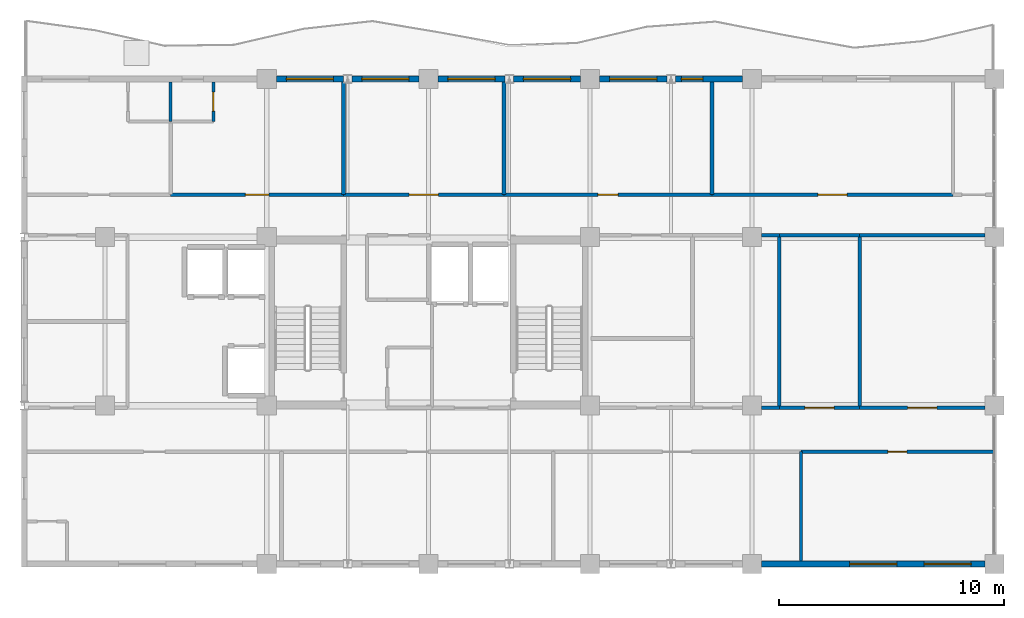
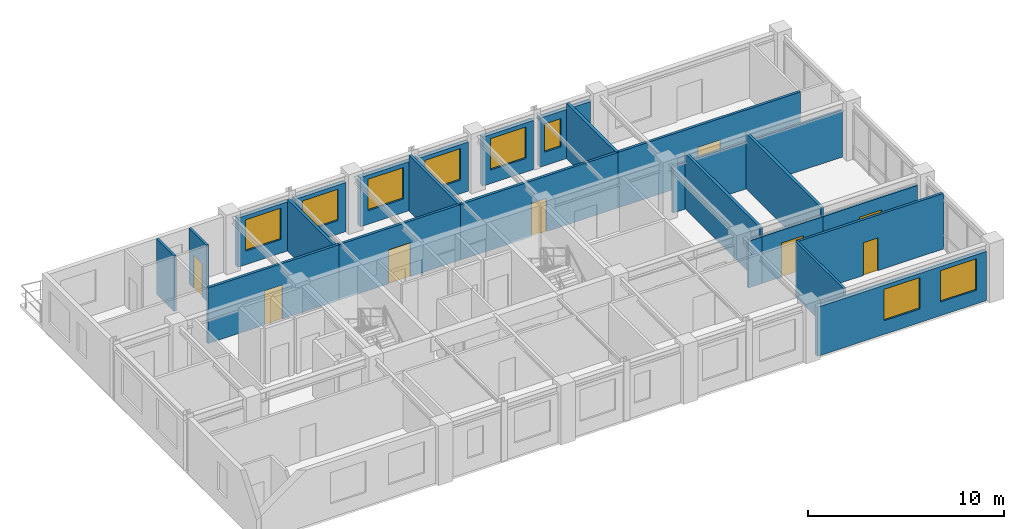
# One storey, part 8 of 11: 26 walls, 8 doors, 8 windows, 16 openings.
"""IFC4 building model written with IfcOpenShell, lengths in metres."""

from ifc_helpers import new_model, si_unit, direction, frame, frame_2d, origin, place, context, subcontext, project, spatial, rectangle, extrude, material, layer, layer_set, type_object, element, fill, save


model = new_model("IFC4")

# Units and contexts
model_context = context("Model", 3, precision=1e-05, world=origin(), true_north=direction((0.0, 1.0)))
body_context = subcontext(model_context, "Body", "Model", "MODEL_VIEW")
ifc_project = project(units=[si_unit("LENGTHUNIT", "METRE"), si_unit("AREAUNIT", "SQUARE_METRE"), si_unit("VOLUMEUNIT", "CUBIC_METRE"), si_unit("PLANEANGLEUNIT", "RADIAN"), si_unit("MASSUNIT", "GRAM", prefix="KILO")], contexts=[model_context])

# Site, building, storey
site_placement = place(None, origin())
site = spatial("IfcSite", under=ifc_project, at=site_placement, CompositionType="ELEMENT")
building_placement = place(site_placement, origin())
building = spatial("IfcBuilding", under=site, at=building_placement, Name="Kaliganga Portal Commons", CompositionType="ELEMENT")
storey_placement = place(building_placement, frame((0.0, 0.0, 268.39990234375)))
storey = spatial("IfcBuildingStorey", under=building, at=storey_placement, Name="L69", CompositionType="ELEMENT", Elevation=268.39990234375)

# Wall, openings, windows
ifc_material_1 = material(Name="Insulated Aluminium-Clad Spandrel Assembly", Category="aluminium")
ifc_layer_1 = layer(ifc_material_1, 0.260009765625)
ifc_layer_set_1 = layer_set([ifc_layer_1], Name="Insulated Aluminium-Clad Spandrel Assembly")
wall_type_1 = type_object("IfcWallType", Name="WL-EXT-SPAND-260", PredefinedType="STANDARD", material=ifc_layer_set_1)
wall_1_placement = place(storey_placement, frame((46.3740234375, 21.60009765625, 0.0), z_axis=(0.0, 0.0, 1.0), x_axis=(-1.0, 0.0, 0.0)))
wall_1 = element("IfcWall", 1, at=wall_1_placement, inside=storey, type_object=wall_type_1, Name="Exterior Envelope Wall L69 P1-E00-S8", PredefinedType="STANDARD", context=body_context, shape_type="SweptSolid", body=[
    extrude(rectangle(XDim=9.947998046875, YDim=0.260009765625, at=frame_2d((4.97412109375, 0.0))), origin(), (0.0, 0.0, 1.0), 3.05517578125),
])
opening_1_placement = place(wall_1_placement, frame((0.60791015625, 0.0, 0.85009765625)))
opening_1 = element("IfcOpeningElement", 2, at=opening_1_placement, cuts=wall_1, Name="Opening W-06", PredefinedType="OPENING", context=body_context, shape_type="SweptSolid", body=[
    extrude(rectangle(XDim=2.10009765625, YDim=1.949951171875, at=frame_2d((1.050048828125, 0.97509765625))), frame((0.0, 0.14013671875, 0.0), z_axis=(0.0, -1.0, 0.0), x_axis=(1.0, 0.0, 0.0)), (0.0, 0.0, 1.0), 0.280029296875),
])
opening_2_placement = place(wall_1_placement, frame((3.924072265625, 0.0, 0.85009765625)))
opening_2 = element("IfcOpeningElement", 3, at=opening_2_placement, cuts=wall_1, Name="Opening W-06", PredefinedType="OPENING", context=body_context, shape_type="SweptSolid", body=[
    extrude(rectangle(XDim=2.10009765625, YDim=1.949951171875, at=frame_2d((1.050048828125, 0.97509765625))), frame((0.0, 0.14013671875, 0.0), z_axis=(0.0, -1.0, 0.0), x_axis=(1.0, 0.0, 0.0)), (0.0, 0.0, 1.0), 0.280029296875),
])
ifc_material_2 = material(Name="Thermally Broken Aluminium and Low-E Double Glazing", Category="aluminium")
window_type_1 = type_object("IfcWindowType", Name="WIN-PAN-2100", PartitioningType="DOUBLE_PANEL_VERTICAL", PredefinedType="WINDOW", material=ifc_material_2)
window_1_placement = place(opening_1_placement, origin())
window_1 = element("IfcWindow", 4, at=window_1_placement, inside=storey, type_object=window_type_1, Name="Facade Window L69-P1E00S8-00", OverallHeight=1.949951171875, OverallWidth=2.10009765625, PartitioningType="SINGLE_PANEL", PredefinedType="WINDOW", context=body_context, shape_type="SweptSolid", body=[
    extrude(rectangle(XDim=2.10009765625, YDim=1.949951171875, at=frame_2d((1.050048828125, 0.97509765625))), frame((0.0, 0.030029296875, 0.0), z_axis=(0.0, -1.0, 0.0), x_axis=(1.0, 0.0, 0.0)), (0.0, 0.0, 1.0), 0.06005859375),
])
fill(opening_1, window_1)
window_2_placement = place(opening_2_placement, origin())
window_2 = element("IfcWindow", 5, at=window_2_placement, inside=storey, type_object=window_type_1, Name="Facade Window L69-P1E00S8-01", OverallHeight=1.949951171875, OverallWidth=2.10009765625, PartitioningType="SINGLE_PANEL", PredefinedType="WINDOW", context=body_context, shape_type="SweptSolid", body=[
    extrude(rectangle(XDim=2.10009765625, YDim=1.949951171875, at=frame_2d((1.050048828125, 0.97509765625))), frame((0.0, 0.030029296875, 0.0), z_axis=(0.0, -1.0, 0.0), x_axis=(1.0, 0.0, 0.0)), (0.0, 0.0, 1.0), 0.06005859375),
])
fill(opening_2, window_2)

# Wall, opening, window
wall_2_placement = place(storey_placement, frame((32.587890625, 43.199951171875, 0.0), z_axis=(0.0, 0.0, 1.0), x_axis=(1.0, 0.0, 0.0)))
wall_2 = element("IfcWall", 6, at=wall_2_placement, inside=storey, type_object=wall_type_1, Name="Exterior Envelope Wall L69 P1-E02-S2", PredefinedType="STANDARD", context=body_context, shape_type="SweptSolid", body=[
    extrude(rectangle(XDim=2.986083984375, YDim=0.260009765625, at=frame_2d((1.4931640625, 0.0))), origin(), (0.0, 0.0, 1.0), 3.05517578125),
])
opening_3_placement = place(wall_2_placement, frame((0.277587890625, 0.0, 0.85009765625)))
opening_3 = element("IfcOpeningElement", 7, at=opening_3_placement, cuts=wall_2, Name="Opening W-04", PredefinedType="OPENING", context=body_context, shape_type="SweptSolid", body=[
    extrude(rectangle(XDim=0.949951171875, YDim=1.75, at=frame_2d((0.47509765625, 0.875))), frame((0.0, 0.14013671875, 0.0), z_axis=(0.0, -1.0, 0.0), x_axis=(1.0, 0.0, 0.0)), (0.0, 0.0, 1.0), 0.280029296875),
])
window_type_2 = type_object("IfcWindowType", Name="WIN-NARROW-950", PartitioningType="SINGLE_PANEL", PredefinedType="WINDOW", material=ifc_material_2)
window_3_placement = place(opening_3_placement, origin())
window_3 = element("IfcWindow", 8, at=window_3_placement, inside=storey, type_object=window_type_2, Name="Facade Window L69-P1E02S2-N1", OverallHeight=1.75, OverallWidth=0.949951171875, PartitioningType="SINGLE_PANEL", PredefinedType="WINDOW", context=body_context, shape_type="SweptSolid", body=[
    extrude(rectangle(XDim=0.949951171875, YDim=1.75, at=frame_2d((0.47509765625, 0.875))), frame((0.0, 0.030029296875, 0.0), z_axis=(0.0, -1.0, 0.0), x_axis=(1.0, 0.0, 0.0)), (0.0, 0.0, 1.0), 0.06005859375),
])
fill(opening_3, window_3)

wall_3_placement = place(storey_placement, frame((29.22607421875, 43.199951171875, 0.0), z_axis=(0.0, 0.0, 1.0), x_axis=(1.0, 0.0, 0.0)))
wall_3 = element("IfcWall", 9, at=wall_3_placement, inside=storey, type_object=wall_type_1, Name="Exterior Envelope Wall L69 P1-E02-S3", PredefinedType="STANDARD", context=body_context, shape_type="SweptSolid", body=[
    extrude(rectangle(XDim=2.98583984375, YDim=0.260009765625, at=frame_2d((1.492919921875, 0.0))), origin(), (0.0, 0.0, 1.0), 3.05517578125),
])
opening_4_placement = place(wall_3_placement, frame((0.443115234375, 0.0, 0.85009765625)))
opening_4 = element("IfcOpeningElement", 10, at=opening_4_placement, cuts=wall_3, Name="Opening W-06", PredefinedType="OPENING", context=body_context, shape_type="SweptSolid", body=[
    extrude(rectangle(XDim=2.10009765625, YDim=1.949951171875, at=frame_2d((1.050048828125, 0.97509765625))), frame((0.0, 0.14013671875, 0.0), z_axis=(0.0, -1.0, 0.0), x_axis=(1.0, 0.0, 0.0)), (0.0, 0.0, 1.0), 0.280029296875),
])
window_4_placement = place(opening_4_placement, origin())
window_4 = element("IfcWindow", 11, at=window_4_placement, inside=storey, type_object=window_type_1, Name="Facade Window L69-P1E02S3-00", OverallHeight=1.949951171875, OverallWidth=2.10009765625, PartitioningType="SINGLE_PANEL", PredefinedType="WINDOW", context=body_context, shape_type="SweptSolid", body=[
    extrude(rectangle(XDim=2.10009765625, YDim=1.949951171875, at=frame_2d((1.050048828125, 0.97509765625))), frame((0.0, 0.030029296875, 0.0), z_axis=(0.0, -1.0, 0.0), x_axis=(1.0, 0.0, 0.0)), (0.0, 0.0, 1.0), 0.06005859375),
])
fill(opening_4, window_4)

wall_4_placement = place(storey_placement, frame((25.387939453125, 43.199951171875, 0.0), z_axis=(0.0, 0.0, 1.0), x_axis=(1.0, 0.0, 0.0)))
wall_4 = element("IfcWall", 12, at=wall_4_placement, inside=storey, type_object=wall_type_1, Name="Exterior Envelope Wall L69 P1-E02-S4", PredefinedType="STANDARD", context=body_context, shape_type="SweptSolid", body=[
    extrude(rectangle(XDim=2.986083984375, YDim=0.260009765625, at=frame_2d((1.4931640625, 0.0))), origin(), (0.0, 0.0, 1.0), 3.05517578125),
])
opening_5_placement = place(wall_4_placement, frame((0.443115234375, 0.0, 0.85009765625)))
opening_5 = element("IfcOpeningElement", 13, at=opening_5_placement, cuts=wall_4, Name="Opening W-06", PredefinedType="OPENING", context=body_context, shape_type="SweptSolid", body=[
    extrude(rectangle(XDim=2.10009765625, YDim=1.949951171875, at=frame_2d((1.050048828125, 0.97509765625))), frame((0.0, 0.14013671875, 0.0), z_axis=(0.0, -1.0, 0.0), x_axis=(1.0, 0.0, 0.0)), (0.0, 0.0, 1.0), 0.280029296875),
])
window_5_placement = place(opening_5_placement, origin())
window_5 = element("IfcWindow", 14, at=window_5_placement, inside=storey, type_object=window_type_1, Name="Facade Window L69-P1E02S4-00", OverallHeight=1.949951171875, OverallWidth=2.10009765625, PartitioningType="SINGLE_PANEL", PredefinedType="WINDOW", context=body_context, shape_type="SweptSolid", body=[
    extrude(rectangle(XDim=2.10009765625, YDim=1.949951171875, at=frame_2d((1.050048828125, 0.97509765625))), frame((0.0, 0.030029296875, 0.0), z_axis=(0.0, -1.0, 0.0), x_axis=(1.0, 0.0, 0.0)), (0.0, 0.0, 1.0), 0.06005859375),
])
fill(opening_5, window_5)

wall_5_placement = place(storey_placement, frame((22.02587890625, 43.199951171875, 0.0), z_axis=(0.0, 0.0, 1.0), x_axis=(1.0, 0.0, 0.0)))
wall_5 = element("IfcWall", 15, at=wall_5_placement, inside=storey, type_object=wall_type_1, Name="Exterior Envelope Wall L69 P1-E02-S5", PredefinedType="STANDARD", context=body_context, shape_type="SweptSolid", body=[
    extrude(rectangle(XDim=2.986083984375, YDim=0.260009765625, at=frame_2d((1.4931640625, 0.0))), origin(), (0.0, 0.0, 1.0), 3.05517578125),
])
opening_6_placement = place(wall_5_placement, frame((0.443115234375, 0.0, 0.85009765625)))
opening_6 = element("IfcOpeningElement", 16, at=opening_6_placement, cuts=wall_5, Name="Opening W-06", PredefinedType="OPENING", context=body_context, shape_type="SweptSolid", body=[
    extrude(rectangle(XDim=2.10009765625, YDim=1.949951171875, at=frame_2d((1.050048828125, 0.97509765625))), frame((0.0, 0.14013671875, 0.0), z_axis=(0.0, -1.0, 0.0), x_axis=(1.0, 0.0, 0.0)), (0.0, 0.0, 1.0), 0.280029296875),
])
window_6_placement = place(opening_6_placement, origin())
window_6 = element("IfcWindow", 17, at=window_6_placement, inside=storey, type_object=window_type_1, Name="Facade Window L69-P1E02S5-00", OverallHeight=1.949951171875, OverallWidth=2.10009765625, PartitioningType="SINGLE_PANEL", PredefinedType="WINDOW", context=body_context, shape_type="SweptSolid", body=[
    extrude(rectangle(XDim=2.10009765625, YDim=1.949951171875, at=frame_2d((1.050048828125, 0.97509765625))), frame((0.0, 0.030029296875, 0.0), z_axis=(0.0, -1.0, 0.0), x_axis=(1.0, 0.0, 0.0)), (0.0, 0.0, 1.0), 0.06005859375),
])
fill(opening_6, window_6)

wall_6_placement = place(storey_placement, frame((18.18798828125, 43.199951171875, 0.0), z_axis=(0.0, 0.0, 1.0), x_axis=(1.0, 0.0, 0.0)))
wall_6 = element("IfcWall", 18, at=wall_6_placement, inside=storey, type_object=wall_type_1, Name="Exterior Envelope Wall L69 P1-E02-S6", PredefinedType="STANDARD", context=body_context, shape_type="SweptSolid", body=[
    extrude(rectangle(XDim=2.986083984375, YDim=0.260009765625, at=frame_2d((1.4931640625, 0.0))), origin(), (0.0, 0.0, 1.0), 3.05517578125),
])
opening_7_placement = place(wall_6_placement, frame((0.443115234375, 0.0, 0.85009765625)))
opening_7 = element("IfcOpeningElement", 19, at=opening_7_placement, cuts=wall_6, Name="Opening W-06", PredefinedType="OPENING", context=body_context, shape_type="SweptSolid", body=[
    extrude(rectangle(XDim=2.10009765625, YDim=1.949951171875, at=frame_2d((1.050048828125, 0.97509765625))), frame((0.0, 0.14013671875, 0.0), z_axis=(0.0, -1.0, 0.0), x_axis=(1.0, 0.0, 0.0)), (0.0, 0.0, 1.0), 0.280029296875),
])
window_7_placement = place(opening_7_placement, origin())
window_7 = element("IfcWindow", 20, at=window_7_placement, inside=storey, type_object=window_type_1, Name="Facade Window L69-P1E02S6-00", OverallHeight=1.949951171875, OverallWidth=2.10009765625, PartitioningType="SINGLE_PANEL", PredefinedType="WINDOW", context=body_context, shape_type="SweptSolid", body=[
    extrude(rectangle(XDim=2.10009765625, YDim=1.949951171875, at=frame_2d((1.050048828125, 0.97509765625))), frame((0.0, 0.030029296875, 0.0), z_axis=(0.0, -1.0, 0.0), x_axis=(1.0, 0.0, 0.0)), (0.0, 0.0, 1.0), 0.06005859375),
])
fill(opening_7, window_7)

wall_7_placement = place(storey_placement, frame((14.825927734375, 43.199951171875, 0.0), z_axis=(0.0, 0.0, 1.0), x_axis=(1.0, 0.0, 0.0)))
wall_7 = element("IfcWall", 21, at=wall_7_placement, inside=storey, type_object=wall_type_1, Name="Exterior Envelope Wall L69 P1-E02-S7", PredefinedType="STANDARD", context=body_context, shape_type="SweptSolid", body=[
    extrude(rectangle(XDim=2.986083984375, YDim=0.260009765625, at=frame_2d((1.4931640625, 0.0))), origin(), (0.0, 0.0, 1.0), 3.05517578125),
])
opening_8_placement = place(wall_7_placement, frame((0.443115234375, 0.0, 0.85009765625)))
opening_8 = element("IfcOpeningElement", 22, at=opening_8_placement, cuts=wall_7, Name="Opening W-06", PredefinedType="OPENING", context=body_context, shape_type="SweptSolid", body=[
    extrude(rectangle(XDim=2.10009765625, YDim=1.949951171875, at=frame_2d((1.050048828125, 0.97509765625))), frame((0.0, 0.14013671875, 0.0), z_axis=(0.0, -1.0, 0.0), x_axis=(1.0, 0.0, 0.0)), (0.0, 0.0, 1.0), 0.280029296875),
])
window_8_placement = place(opening_8_placement, origin())
window_8 = element("IfcWindow", 23, at=window_8_placement, inside=storey, type_object=window_type_1, Name="Facade Window L69-P1E02S7-00", OverallHeight=1.949951171875, OverallWidth=2.10009765625, PartitioningType="SINGLE_PANEL", PredefinedType="WINDOW", context=body_context, shape_type="SweptSolid", body=[
    extrude(rectangle(XDim=2.10009765625, YDim=1.949951171875, at=frame_2d((1.050048828125, 0.97509765625))), frame((0.0, 0.030029296875, 0.0), z_axis=(0.0, -1.0, 0.0), x_axis=(1.0, 0.0, 0.0)), (0.0, 0.0, 1.0), 0.06005859375),
])
fill(opening_8, window_8)

# Wall, opening, door
ifc_material_3 = material(Name="Fire-Rated Gypsum Board on Steel Stud", Category="steel")
ifc_layer_2 = layer(ifc_material_3, 0.14990234375)
ifc_layer_set_2 = layer_set([ifc_layer_2], Name="Fire-Rated Gypsum Board on Steel Stud")
wall_type_2 = type_object("IfcWallType", Name="WL-PART-CORR-150", PredefinedType="PARTITIONING", material=ifc_layer_set_2)
wall_8_placement = place(storey_placement, frame((34.219970703125, 38.0400390625, 0.0), z_axis=(0.0, 0.0, 1.0), x_axis=(1.0, 0.0, 0.0)))
wall_8 = element("IfcWall", 24, at=wall_8_placement, inside=storey, type_object=wall_type_2, Name="Interior Partition L69-011", PredefinedType="PARTITIONING", context=body_context, shape_type="SweptSolid", body=[
    extrude(rectangle(XDim=10.739990234375, YDim=0.14990234375, at=frame_2d((5.3701171875, 0.0))), origin(), (0.0, 0.0, 1.0), 3.455078125),
])
opening_9_placement = place(wall_8_placement, frame((4.719970703125, 0.0, 0.0)))
opening_9 = element("IfcOpeningElement", 25, at=opening_9_placement, cuts=wall_8, Name="Opening RD-03", PredefinedType="OPENING", context=body_context, shape_type="SweptSolid", body=[
    extrude(rectangle(XDim=1.300048828125, YDim=2.1201171875, at=frame_2d((0.64990234375, 1.06005859375))), frame((0.0, 0.0849609375, 0.0), z_axis=(0.0, -1.0, 0.0), x_axis=(1.0, 0.0, 0.0)), (0.0, 0.0, 1.0), 0.169921875),
])
ifc_material_4 = material(Name="Glazed Timber Seminar Vision Door", Category="wood")
door_type_1 = type_object("IfcDoorType", Name="DR-STUDY-1300", OperationType="DOUBLE_DOOR_SINGLE_SWING", PredefinedType="DOOR", material=ifc_material_4)
door_1_placement = place(opening_9_placement, origin())
door_1 = element("IfcDoor", 26, at=door_1_placement, inside=storey, type_object=door_type_1, Name="Interior Door L69-AN05", OperationType="DOUBLE_DOOR_SINGLE_SWING", OverallHeight=2.1201171875, OverallWidth=1.300048828125, PredefinedType="DOOR", context=body_context, shape_type="SweptSolid", body=[
    extrude(rectangle(XDim=1.300048828125, YDim=2.1201171875, at=frame_2d((0.64990234375, 1.06005859375))), frame((0.0, 0.02490234375, 0.0), z_axis=(0.0, -1.0, 0.0), x_axis=(1.0, 0.0, 0.0)), (0.0, 0.0, 1.0), 0.050048828125),
])
fill(opening_9, door_1)

wall_9_placement = place(storey_placement, frame((24.9599609375, 38.0400390625, 0.0), z_axis=(0.0, 0.0, 1.0), x_axis=(1.0, 0.0, 0.0)))
wall_9 = element("IfcWall", 27, at=wall_9_placement, inside=storey, type_object=wall_type_2, Name="Interior Partition L69-012", PredefinedType="PARTITIONING", context=body_context, shape_type="SweptSolid", body=[
    extrude(rectangle(XDim=9.260009765625, YDim=0.14990234375, at=frame_2d((4.6298828125, 0.0))), origin(), (0.0, 0.0, 1.0), 3.455078125),
])
opening_10_placement = place(wall_9_placement, frame((4.179931640625, 0.0, 0.0)))
opening_10 = element("IfcOpeningElement", 28, at=opening_10_placement, cuts=wall_9, Name="Opening RD-01", PredefinedType="OPENING", context=body_context, shape_type="SweptSolid", body=[
    extrude(rectangle(XDim=0.89990234375, YDim=2.080078125, at=frame_2d((0.449951171875, 1.0400390625))), frame((0.0, 0.0849609375, 0.0), z_axis=(0.0, -1.0, 0.0), x_axis=(1.0, 0.0, 0.0)), (0.0, 0.0, 1.0), 0.169921875),
])
ifc_material_5 = material(Name="Engineered Timber Flush Door", Category="wood")
door_type_2 = type_object("IfcDoorType", Name="DR-ROOM-900", OperationType="NOTDEFINED", PredefinedType="DOOR", material=ifc_material_5)
door_2_placement = place(opening_10_placement, origin())
door_2 = element("IfcDoor", 29, at=door_2_placement, inside=storey, type_object=door_type_2, Name="Interior Door L69-AN04", OperationType="SINGLE_SWING_LEFT", OverallHeight=2.080078125, OverallWidth=0.89990234375, PredefinedType="DOOR", context=body_context, shape_type="SweptSolid", body=[
    extrude(rectangle(XDim=0.89990234375, YDim=2.080078125, at=frame_2d((0.449951171875, 1.0400390625))), frame((0.0, 0.02490234375, 0.0), z_axis=(0.0, -1.0, 0.0), x_axis=(1.0, 0.0, 0.0)), (0.0, 0.0, 1.0), 0.050048828125),
])
fill(opening_10, door_2)

wall_10_placement = place(storey_placement, frame((38.179931640625, 26.60009765625, 0.0), z_axis=(0.0, 0.0, 1.0), x_axis=(1.0, 0.0, 0.0)))
wall_10 = element("IfcWall", 30, at=wall_10_placement, inside=storey, type_object=wall_type_2, Name="Interior Partition L69-013", PredefinedType="PARTITIONING", context=body_context, shape_type="SweptSolid", body=[
    extrude(rectangle(XDim=8.60009765625, YDim=0.14990234375, at=frame_2d((4.300048828125, 0.0))), origin(), (0.0, 0.0, 1.0), 3.455078125),
])
opening_11_placement = place(wall_10_placement, frame((3.875, 0.0, 0.0)))
opening_11 = element("IfcOpeningElement", 31, at=opening_11_placement, cuts=wall_10, Name="Opening WD-01", PredefinedType="OPENING", context=body_context, shape_type="SweptSolid", body=[
    extrude(rectangle(XDim=0.85009765625, YDim=2.0400390625, at=frame_2d((0.425048828125, 1.02001953125))), frame((0.0, 0.0849609375, 0.0), z_axis=(0.0, -1.0, 0.0), x_axis=(1.0, 0.0, 0.0)), (0.0, 0.0, 1.0), 0.169921875),
])
ifc_material_6 = material(Name="Moisture-Resistant Laminate Timber Door", Category="wood")
door_type_3 = type_object("IfcDoorType", Name="DR-WET-850", OperationType="NOTDEFINED", PredefinedType="DOOR", material=ifc_material_6)
door_3_placement = place(opening_11_placement, origin())
door_3 = element("IfcDoor", 32, at=door_3_placement, inside=storey, type_object=door_type_3, Name="Interior Door L69-AS04", OperationType="SINGLE_SWING_RIGHT", OverallHeight=2.0400390625, OverallWidth=0.85009765625, PredefinedType="DOOR", context=body_context, shape_type="SweptSolid", body=[
    extrude(rectangle(XDim=0.85009765625, YDim=2.0400390625, at=frame_2d((0.425048828125, 1.02001953125))), frame((0.0, 0.02490234375, 0.0), z_axis=(0.0, -1.0, 0.0), x_axis=(1.0, 0.0, 0.0)), (0.0, 0.0, 1.0), 0.050048828125),
])
fill(opening_11, door_3)

wall_11_placement = place(storey_placement, frame((10.1201171875, 38.0400390625, 0.0), z_axis=(0.0, 0.0, 1.0), x_axis=(1.0, 0.0, 0.0)))
wall_11 = element("IfcWall", 33, at=wall_11_placement, inside=storey, type_object=wall_type_2, Name="Interior Partition L69-014", PredefinedType="PARTITIONING", context=body_context, shape_type="SweptSolid", body=[
    extrude(rectangle(XDim=7.699951171875, YDim=0.14990234375, at=frame_2d((3.85009765625, 0.0))), origin(), (0.0, 0.0, 1.0), 3.455078125),
])
opening_12_placement = place(wall_11_placement, frame((3.324951171875, 0.0, 0.0)))
opening_12 = element("IfcOpeningElement", 34, at=opening_12_placement, cuts=wall_11, Name="Opening UD-02", PredefinedType="OPENING", context=body_context, shape_type="SweptSolid", body=[
    extrude(rectangle(XDim=1.050048828125, YDim=2.1201171875, at=frame_2d((0.52490234375, 1.06005859375))), frame((0.0, 0.0849609375, 0.0), z_axis=(0.0, -1.0, 0.0), x_axis=(1.0, 0.0, 0.0)), (0.0, 0.0, 1.0), 0.169921875),
])
ifc_material_7 = material(Name="Accessible Wide-Leaf Acoustic Fire Door", Category="wood")
door_type_4 = type_object("IfcDoorType", Name="DR-ACC-1050", OperationType="NOTDEFINED", PredefinedType="DOOR", material=ifc_material_7)
door_4_placement = place(opening_12_placement, origin())
door_4 = element("IfcDoor", 35, at=door_4_placement, inside=storey, type_object=door_type_4, Name="Interior Door L69-AN02", OperationType="SINGLE_SWING_LEFT", OverallHeight=2.1201171875, OverallWidth=1.050048828125, PredefinedType="DOOR", context=body_context, shape_type="SweptSolid", body=[
    extrude(rectangle(XDim=1.050048828125, YDim=2.1201171875, at=frame_2d((0.52490234375, 1.06005859375))), frame((0.0, 0.02490234375, 0.0), z_axis=(0.0, -1.0, 0.0), x_axis=(1.0, 0.0, 0.0)), (0.0, 0.0, 1.0), 0.050048828125),
])
fill(opening_12, door_4)

wall_12_placement = place(storey_placement, frame((17.820068359375, 38.0400390625, 0.0), z_axis=(0.0, 0.0, 1.0), x_axis=(1.0, 0.0, 0.0)))
wall_12 = element("IfcWall", 36, at=wall_12_placement, inside=storey, type_object=wall_type_2, Name="Interior Partition L69-015", PredefinedType="PARTITIONING", context=body_context, shape_type="SweptSolid", body=[
    extrude(rectangle(XDim=7.139892578125, YDim=0.14990234375, at=frame_2d((3.56982421875, 0.0))), origin(), (0.0, 0.0, 1.0), 3.455078125),
])
opening_13_placement = place(wall_12_placement, frame((2.919921875, 0.0, 0.0)))
opening_13 = element("IfcOpeningElement", 37, at=opening_13_placement, cuts=wall_12, Name="Opening RD-03", PredefinedType="OPENING", context=body_context, shape_type="SweptSolid", body=[
    extrude(rectangle(XDim=1.300048828125, YDim=2.1201171875, at=frame_2d((0.64990234375, 1.06005859375))), frame((0.0, 0.0849609375, 0.0), z_axis=(0.0, -1.0, 0.0), x_axis=(1.0, 0.0, 0.0)), (0.0, 0.0, 1.0), 0.169921875),
])
door_5_placement = place(opening_13_placement, origin())
door_5 = element("IfcDoor", 38, at=door_5_placement, inside=storey, type_object=door_type_1, Name="Interior Door L69-AN03", OperationType="DOUBLE_DOOR_SINGLE_SWING", OverallHeight=2.1201171875, OverallWidth=1.300048828125, PredefinedType="DOOR", context=body_context, shape_type="SweptSolid", body=[
    extrude(rectangle(XDim=1.300048828125, YDim=2.1201171875, at=frame_2d((0.64990234375, 1.06005859375))), frame((0.0, 0.02490234375, 0.0), z_axis=(0.0, -1.0, 0.0), x_axis=(1.0, 0.0, 0.0)), (0.0, 0.0, 1.0), 0.050048828125),
])
fill(opening_13, door_5)

wall_13_placement = place(storey_placement, frame((40.800048828125, 28.56005859375, 0.0), z_axis=(0.0, 0.0, 1.0), x_axis=(1.0, 0.0, 0.0)))
wall_13 = element("IfcWall", 39, at=wall_13_placement, inside=storey, type_object=wall_type_2, Name="Interior Partition L69-017", PredefinedType="PARTITIONING", context=body_context, shape_type="SweptSolid", body=[
    extrude(rectangle(XDim=5.574951171875, YDim=0.14990234375, at=frame_2d((2.78759765625, 0.0))), origin(), (0.0, 0.0, 1.0), 2.905029296875),
])
opening_14_placement = place(wall_13_placement, frame((2.137451171875, 0.0, 0.0)))
opening_14 = element("IfcOpeningElement", 40, at=opening_14_placement, cuts=wall_13, Name="Opening RD-03", PredefinedType="OPENING", context=body_context, shape_type="SweptSolid", body=[
    extrude(rectangle(XDim=1.300048828125, YDim=2.1201171875, at=frame_2d((0.64990234375, 1.06005859375))), frame((0.0, 0.0849609375, 0.0), z_axis=(0.0, -1.0, 0.0), x_axis=(1.0, 0.0, 0.0)), (0.0, 0.0, 1.0), 0.169921875),
])
door_6_placement = place(opening_14_placement, origin())
door_6 = element("IfcDoor", 41, at=door_6_placement, inside=storey, type_object=door_type_1, Name="Interior Door L69-AE03", OperationType="DOUBLE_DOOR_SINGLE_SWING", OverallHeight=2.1201171875, OverallWidth=1.300048828125, PredefinedType="DOOR", context=body_context, shape_type="SweptSolid", body=[
    extrude(rectangle(XDim=1.300048828125, YDim=2.1201171875, at=frame_2d((0.64990234375, 1.06005859375))), frame((0.0, 0.02490234375, 0.0), z_axis=(0.0, -1.0, 0.0), x_axis=(1.0, 0.0, 0.0)), (0.0, 0.0, 1.0), 0.050048828125),
])
fill(opening_14, door_6)

# Walls
wall_14_placement = place(storey_placement, frame((40.800048828125, 36.239990234375, 0.0), z_axis=(0.0, 0.0, 1.0), x_axis=(1.0, 0.0, 0.0)))
element("IfcWall", 42, at=wall_14_placement, inside=storey, type_object=wall_type_2, Name="Interior Partition L69-018", PredefinedType="PARTITIONING", context=body_context, shape_type="SweptSolid", body=[
    extrude(rectangle(XDim=5.574951171875, YDim=0.14990234375, at=frame_2d((2.78759765625, 0.0))), origin(), (0.0, 0.0, 1.0), 2.905029296875),
])
for number, where, z_axis, x_axis, name in (
    (43, (36.425048828125, 28.56005859375, 0.0), (0.0, 0.0, 1.0), (1.0, 0.0, 0.0), "Interior Partition L69-026"),
    (44, (36.425048828125, 36.239990234375, 0.0), (0.0, 0.0, 1.0), (1.0, 0.0, 0.0), "Interior Partition L69-028"),
):
    element("IfcWall", number, at=place(storey_placement, frame(where, z_axis=z_axis, x_axis=x_axis)), inside=storey, type_object=wall_type_2, Name=name, PredefinedType="PARTITIONING", context=body_context, shape_type="SweptSolid", body=[
        extrude(rectangle(XDim=0.794921875, YDim=0.14990234375, at=frame_2d((0.3974609375, 0.0))), origin(), (0.0, 0.0, 1.0), 2.905029296875),
    ])

# Wall, opening, door
wall_15_placement = place(storey_placement, frame((37.219970703125, 28.56005859375, 0.0), z_axis=(0.0, 0.0, 1.0), x_axis=(1.0, 0.0, 0.0)))
wall_15 = element("IfcWall", 45, at=wall_15_placement, inside=storey, type_object=wall_type_2, Name="Interior Partition L69-031", PredefinedType="PARTITIONING", context=body_context, shape_type="SweptSolid", body=[
    extrude(rectangle(XDim=3.580078125, YDim=0.14990234375, at=frame_2d((1.7900390625, 0.0))), origin(), (0.0, 0.0, 1.0), 2.905029296875),
])
opening_15_placement = place(wall_15_placement, frame((1.139892578125, 0.0, 0.0)))
opening_15 = element("IfcOpeningElement", 46, at=opening_15_placement, cuts=wall_15, Name="Opening RD-03", PredefinedType="OPENING", context=body_context, shape_type="SweptSolid", body=[
    extrude(rectangle(XDim=1.300048828125, YDim=2.1201171875, at=frame_2d((0.64990234375, 1.06005859375))), frame((0.0, 0.0849609375, 0.0), z_axis=(0.0, -1.0, 0.0), x_axis=(1.0, 0.0, 0.0)), (0.0, 0.0, 1.0), 0.169921875),
])
door_7_placement = place(opening_15_placement, origin())
door_7 = element("IfcDoor", 47, at=door_7_placement, inside=storey, type_object=door_type_1, Name="Interior Door L69-AE02", OperationType="DOUBLE_DOOR_SINGLE_SWING", OverallHeight=2.1201171875, OverallWidth=1.300048828125, PredefinedType="DOOR", context=body_context, shape_type="SweptSolid", body=[
    extrude(rectangle(XDim=1.300048828125, YDim=2.1201171875, at=frame_2d((0.64990234375, 1.06005859375))), frame((0.0, 0.02490234375, 0.0), z_axis=(0.0, -1.0, 0.0), x_axis=(1.0, 0.0, 0.0)), (0.0, 0.0, 1.0), 0.050048828125),
])
fill(opening_15, door_7)

# Walls
wall_16_placement = place(storey_placement, frame((37.219970703125, 36.239990234375, 0.0), z_axis=(0.0, 0.0, 1.0), x_axis=(1.0, 0.0, 0.0)))
element("IfcWall", 48, at=wall_16_placement, inside=storey, type_object=wall_type_2, Name="Interior Partition L69-032", PredefinedType="PARTITIONING", context=body_context, shape_type="SweptSolid", body=[
    extrude(rectangle(XDim=3.580078125, YDim=0.14990234375, at=frame_2d((1.7900390625, 0.0))), origin(), (0.0, 0.0, 1.0), 2.905029296875),
])
ifc_material_8 = material(Name="Twin-Stud Acoustic Gypsum Partition", Category="gypsum")
ifc_layer_3 = layer(ifc_material_8, 0.1650390625)
ifc_layer_set_3 = layer_set([ifc_layer_3], Name="Twin-Stud Acoustic Gypsum Partition")
wall_type_3 = type_object("IfcWallType", Name="WL-PART-UNIT-165", PredefinedType="PARTITIONING", material=ifc_layer_set_3)
for number, where, z_axis, x_axis, name in (
    (49, (37.219970703125, 28.56005859375, 0.0), (0.0, 0.0, 1.0), (0.0, 1.0, 0.0), "Interior Partition L69-042"),
    (50, (40.800048828125, 28.56005859375, 0.0), (0.0, 0.0, 1.0), (0.0, 1.0, 0.0), "Interior Partition L69-043"),
):
    element("IfcWall", number, at=place(storey_placement, frame(where, z_axis=z_axis, x_axis=x_axis)), inside=storey, type_object=wall_type_3, Name=name, PredefinedType="PARTITIONING", context=body_context, shape_type="SweptSolid", body=[
        extrude(rectangle(XDim=7.679931640625, YDim=0.1650390625, at=frame_2d((3.83984375, 0.0))), origin(), (0.0, 0.0, 1.0), 3.455078125),
    ])
wall_17_placement = place(storey_placement, frame((17.820068359375, 38.0400390625, 0.0), z_axis=(0.0, 0.0, 1.0), x_axis=(0.0, 1.0, 0.0)))
element("IfcWall", 51, at=wall_17_placement, inside=storey, type_object=wall_type_3, Name="Interior Partition L69-044", PredefinedType="PARTITIONING", context=body_context, shape_type="SweptSolid", body=[
    extrude(rectangle(XDim=5.028076171875, YDim=0.1650390625, at=frame_2d((2.51416015625, 0.0))), origin(), (0.0, 0.0, 1.0), 3.215087890625),
])
for number, where, z_axis, x_axis, name in (
    (52, (24.9599609375, 38.0400390625, 0.0), (0.0, 0.0, 1.0), (0.0, 1.0, 0.0), "Interior Partition L69-045"),
    (53, (34.219970703125, 38.0400390625, 0.0), (0.0, 0.0, 1.0), (0.0, 1.0, 0.0), "Interior Partition L69-046"),
):
    element("IfcWall", number, at=place(storey_placement, frame(where, z_axis=z_axis, x_axis=x_axis)), inside=storey, type_object=wall_type_3, Name=name, PredefinedType="PARTITIONING", context=body_context, shape_type="SweptSolid", body=[
        extrude(rectangle(XDim=5.028076171875, YDim=0.1650390625, at=frame_2d((2.51416015625, 0.0))), origin(), (0.0, 0.0, 1.0), 3.455078125),
    ])
ifc_material_9 = material(Name="Cement-Board Wet-Room Partition", Category="gypsum")
ifc_layer_4 = layer(ifc_material_9, 0.135009765625)
ifc_layer_set_4 = layer_set([ifc_layer_4], Name="Cement-Board Wet-Room Partition")
wall_type_4 = type_object("IfcWallType", Name="WL-PART-WET-135", PredefinedType="PARTITIONING", material=ifc_layer_set_4)
wall_18_placement = place(storey_placement, frame((10.1201171875, 41.300048828125, 0.0), z_axis=(0.0, 0.0, 1.0), x_axis=(0.0, 1.0, 0.0)))
element("IfcWall", 54, at=wall_18_placement, inside=storey, type_object=wall_type_4, Name="Interior Partition L69-002", PredefinedType="PARTITIONING", context=body_context, shape_type="SweptSolid", body=[
    extrude(rectangle(XDim=1.76806640625, YDim=0.135009765625, at=frame_2d((0.884033203125, 0.0))), origin(), (0.0, 0.0, 1.0), 3.455078125),
])

# Wall, opening, door
wall_19_placement = place(storey_placement, frame((12.02001953125, 41.300048828125, 0.0), z_axis=(0.0, 0.0, 1.0), x_axis=(0.0, 1.0, 0.0)))
wall_19 = element("IfcWall", 55, at=wall_19_placement, inside=storey, type_object=wall_type_4, Name="Interior Partition L69-003", PredefinedType="PARTITIONING", context=body_context, shape_type="SweptSolid", body=[
    extrude(rectangle(XDim=1.76806640625, YDim=0.135009765625, at=frame_2d((0.884033203125, 0.0))), origin(), (0.0, 0.0, 1.0), 3.455078125),
])
opening_16_placement = place(wall_19_placement, frame((0.458984375, 0.0, 0.0)))
opening_16 = element("IfcOpeningElement", 56, at=opening_16_placement, cuts=wall_19, Name="Opening WD-01", PredefinedType="OPENING", context=body_context, shape_type="SweptSolid", body=[
    extrude(rectangle(XDim=0.85009765625, YDim=2.0400390625, at=frame_2d((0.425048828125, 1.02001953125))), frame((0.0, 0.07763671875, 0.0), z_axis=(0.0, -1.0, 0.0), x_axis=(1.0, 0.0, 0.0)), (0.0, 0.0, 1.0), 0.155029296875),
])
door_8_placement = place(opening_16_placement, origin())
door_8 = element("IfcDoor", 57, at=door_8_placement, inside=storey, type_object=door_type_3, Name="Interior Door L69-AN02E", OperationType="SINGLE_SWING_LEFT", OverallHeight=2.0400390625, OverallWidth=0.85009765625, PredefinedType="DOOR", context=body_context, shape_type="SweptSolid", body=[
    extrude(rectangle(XDim=0.85009765625, YDim=2.0400390625, at=frame_2d((0.425048828125, 1.02001953125))), frame((0.0, 0.02490234375, 0.0), z_axis=(0.0, -1.0, 0.0), x_axis=(1.0, 0.0, 0.0)), (0.0, 0.0, 1.0), 0.050048828125),
])
fill(opening_16, door_8)

# Wall
wall_20_placement = place(storey_placement, frame((38.179931640625, 21.73193359375, 0.0), z_axis=(0.0, 0.0, 1.0), x_axis=(0.0, 1.0, 0.0)))
element("IfcWall", 58, at=wall_20_placement, inside=storey, type_object=wall_type_4, Name="Interior Partition L69-050", PredefinedType="PARTITIONING", context=body_context, shape_type="SweptSolid", body=[
    extrude(rectangle(XDim=4.8681640625, YDim=0.135009765625, at=frame_2d((2.43408203125, 0.0))), origin(), (0.0, 0.0, 1.0), 3.455078125),
])

save(model, "model.ifc")
